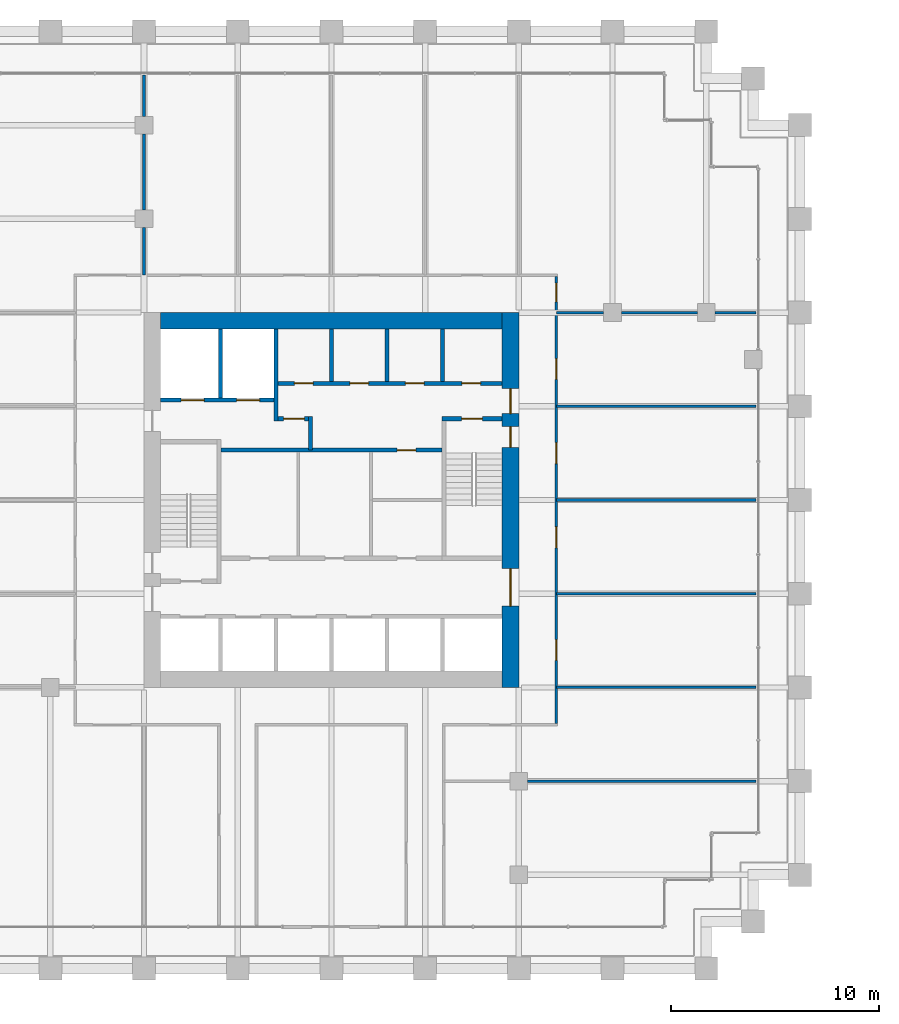
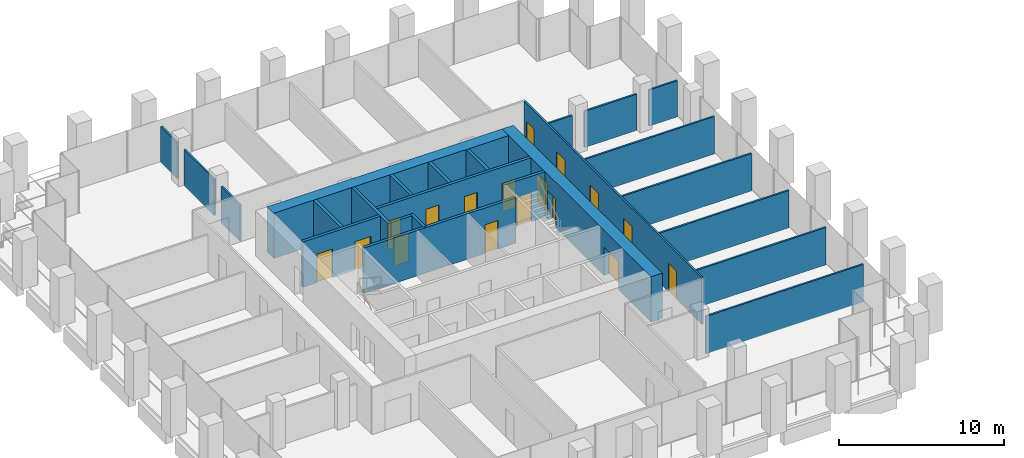
# One storey, part 51 of 56: 25 walls, 17 doors, 17 openings.
"""IFC4 building model written with IfcOpenShell, lengths in metres."""

from ifc_helpers import new_model, si_unit, direction, frame, frame_2d, origin, place, context, subcontext, project, spatial, rectangle, extrude, material, layer, layer_set, type_object, element, fill, save


model = new_model("IFC4")

# Units and contexts
model_context = context("Model", 3, precision=1e-05, world=origin(), true_north=direction((0.0, 1.0)))
body_context = subcontext(model_context, "Body", "Model", "MODEL_VIEW")
ifc_project = project(units=[si_unit("LENGTHUNIT", "METRE"), si_unit("AREAUNIT", "SQUARE_METRE"), si_unit("VOLUMEUNIT", "CUBIC_METRE"), si_unit("PLANEANGLEUNIT", "RADIAN"), si_unit("MASSUNIT", "GRAM", prefix="KILO")], contexts=[model_context])

# Site, building, storey
site_placement = place(None, origin())
site = spatial("IfcSite", under=ifc_project, at=site_placement, CompositionType="ELEMENT")
building_placement = place(site_placement, origin())
building = spatial("IfcBuilding", under=site, at=building_placement, Name="Altepetl Exchange Towers", CompositionType="ELEMENT")
storey_placement = place(building_placement, frame((0.0, 0.0, 69.0)))
storey = spatial("IfcBuildingStorey", under=building, at=storey_placement, Name="L16", CompositionType="ELEMENT", Elevation=69.0)

# Wall, openings, doors
ifc_material_1 = material(Name="Concrete C70/85", Category="concrete")
ifc_layer_1 = layer(ifc_material_1, 0.800048828125)
ifc_layer_set_1 = layer_set([ifc_layer_1], Name="Concrete C70/85")
wall_type_1 = type_object("IfcWallType", Name="Core wall 800 reinforced concrete", PredefinedType="SHEAR", material=ifc_layer_set_1)
wall_1_placement = place(storey_placement, frame((58.10009765625, 40.5, 0.0), z_axis=(0.0, 0.0, 1.0), x_axis=(0.0, 1.0, 0.0)))
wall_1 = element("IfcWall", 1, at=wall_1_placement, inside=storey, type_object=wall_type_1, Name="wall:A:L16:K-coreE", PredefinedType="SHEAR", context=body_context, shape_type="SweptSolid", body=[
    extrude(rectangle(XDim=18.0, YDim=0.800048828125, at=frame_2d((9.0, 0.0))), origin(), (0.0, 0.0, 1.0), 3.35009765625),
])
opening_1_placement = place(wall_1_placement, frame((13.14990234375, 0.0, 0.0)))
opening_1 = element("IfcOpeningElement", 2, at=opening_1_placement, cuts=wall_1, Name="Opening L16.A60", PredefinedType="OPENING", context=body_context, shape_type="SweptSolid", body=[
    extrude(rectangle(XDim=1.199951171875, YDim=2.10009765625, at=frame_2d((0.60009765625, 1.050048828125))), frame((0.0, 0.41015625, 0.0), z_axis=(0.0, -1.0, 0.0), x_axis=(1.0, 0.0, 0.0)), (0.0, 0.0, 1.0), 0.820068359375),
])
opening_2_placement = place(wall_1_placement, frame((3.89990234375, 0.0, 0.0)))
opening_2 = element("IfcOpeningElement", 3, at=opening_2_placement, cuts=wall_1, Name="Opening L16.A61", PredefinedType="OPENING", context=body_context, shape_type="SweptSolid", body=[
    extrude(rectangle(XDim=1.800048828125, YDim=2.10009765625, at=frame_2d((0.89990234375, 1.050048828125))), frame((0.0, 0.41015625, 0.0), z_axis=(0.0, -1.0, 0.0), x_axis=(1.0, 0.0, 0.0)), (0.0, 0.0, 1.0), 0.820068359375),
])
opening_3_placement = place(wall_1_placement, frame((11.52490234375, 0.0, 0.0)))
opening_3 = element("IfcOpeningElement", 4, at=opening_3_placement, cuts=wall_1, Name="Opening L16.A66", PredefinedType="OPENING", context=body_context, shape_type="SweptSolid", body=[
    extrude(rectangle(XDim=1.0, YDim=2.10009765625, at=frame_2d((0.5, 1.050048828125))), frame((0.0, 0.41015625, 0.0), z_axis=(0.0, -1.0, 0.0), x_axis=(1.0, 0.0, 0.0)), (0.0, 0.0, 1.0), 0.820068359375),
])
ifc_material_2 = material(Name="Steel and timber fire door", Category="steel")
door_type_1 = type_object("IfcDoorType", Name="Fire door 1000 x 2100 stair and lobby", OperationType="SINGLE_SWING_LEFT", PredefinedType="DOOR", material=ifc_material_2)
door_1_placement = place(opening_3_placement, origin())
door_1 = element("IfcDoor", 5, at=door_1_placement, inside=storey, type_object=door_type_1, Name="door:A:L16:K-dS2x", OperationType="SINGLE_SWING_RIGHT", OverallHeight=2.10009765625, OverallWidth=1.0, PredefinedType="DOOR", context=body_context, shape_type="SweptSolid", body=[
    extrude(rectangle(XDim=1.0, YDim=2.10009765625, at=frame_2d((0.5, 1.050048828125))), frame((0.0, 0.02490234375, 0.0), z_axis=(0.0, -1.0, 0.0), x_axis=(1.0, 0.0, 0.0)), (0.0, 0.0, 1.0), 0.050048828125),
])
fill(opening_3, door_1)
door_type_2 = type_object("IfcDoorType", Name="Fire door 1200 x 2100 lobby entry", OperationType="SINGLE_SWING_LEFT", PredefinedType="DOOR", material=ifc_material_2)
door_2_placement = place(opening_1_placement, origin())
door_2 = element("IfcDoor", 6, at=door_2_placement, inside=storey, type_object=door_type_2, Name="door:A:L16:K-dLNE", OperationType="SINGLE_SWING_RIGHT", OverallHeight=2.10009765625, OverallWidth=1.199951171875, PredefinedType="DOOR", context=body_context, shape_type="SweptSolid", body=[
    extrude(rectangle(XDim=1.199951171875, YDim=2.10009765625, at=frame_2d((0.60009765625, 1.050048828125))), frame((0.0, 0.02490234375, 0.0), z_axis=(0.0, -1.0, 0.0), x_axis=(1.0, 0.0, 0.0)), (0.0, 0.0, 1.0), 0.050048828125),
])
fill(opening_1, door_2)
door_type_3 = type_object("IfcDoorType", Name="Fire door 1800 x 2100 lobby entry", OperationType="DOUBLE_DOOR_SINGLE_SWING", PredefinedType="DOOR", material=ifc_material_2)
door_3_placement = place(opening_2_placement, origin())
door_3 = element("IfcDoor", 7, at=door_3_placement, inside=storey, type_object=door_type_3, Name="door:A:L16:K-dLSE", OperationType="DOUBLE_DOOR_SINGLE_SWING", OverallHeight=2.10009765625, OverallWidth=1.800048828125, PredefinedType="DOOR", context=body_context, shape_type="SweptSolid", body=[
    extrude(rectangle(XDim=1.800048828125, YDim=2.10009765625, at=frame_2d((0.89990234375, 1.050048828125))), frame((0.0, 0.02490234375, 0.0), z_axis=(0.0, -1.0, 0.0), x_axis=(1.0, 0.0, 0.0)), (0.0, 0.0, 1.0), 0.050048828125),
])
fill(opening_2, door_3)

# Walls
wall_2_placement = place(storey_placement, frame((41.300048828125, 58.10009765625, 0.0)))
element("IfcWall", 8, at=wall_2_placement, inside=storey, type_object=wall_type_1, Name="wall:A:L16:K-coreN", PredefinedType="SHEAR", context=body_context, shape_type="SweptSolid", body=[
    extrude(rectangle(XDim=16.39990234375, YDim=0.800048828125, at=frame_2d((8.199951171875, 0.0))), origin(), (0.0, 0.0, 1.0), 3.35009765625),
])
ifc_material_3 = material(Name="Concrete blockwork", Category="masonry")
ifc_layer_2 = layer(ifc_material_3, 0.199951171875)
ifc_layer_set_2 = layer_set([ifc_layer_2], Name="Concrete blockwork")
wall_type_2 = type_object("IfcWallType", Name="Lobby wall 200 blockwork", PredefinedType="PARTITIONING", material=ifc_layer_set_2)
wall_3_placement = place(storey_placement, frame((48.5, 51.89990234375, 0.0), z_axis=(0.0, 0.0, 1.0), x_axis=(0.0, 1.0, 0.0)))
element("IfcWall", 9, at=wall_3_placement, inside=storey, type_object=wall_type_2, Name="wall:A:L16:K-ffE", PredefinedType="PARTITIONING", context=body_context, shape_type="SweptSolid", body=[
    extrude(rectangle(XDim=1.60009765625, YDim=0.199951171875, at=frame_2d((0.800048828125, 0.0))), origin(), (0.0, 0.0, 1.0), 3.35009765625),
])

# Wall, opening, door
wall_4_placement = place(storey_placement, frame((46.933349609375, 53.39990234375, 0.0)))
wall_4 = element("IfcWall", 10, at=wall_4_placement, inside=storey, type_object=wall_type_2, Name="wall:A:L16:K-ffN", PredefinedType="PARTITIONING", context=body_context, shape_type="SweptSolid", body=[
    extrude(rectangle(XDim=1.466552734375, YDim=0.199951171875, at=frame_2d((0.7333984375, 0.0))), origin(), (0.0, 0.0, 1.0), 3.35009765625),
])
opening_4_placement = place(wall_4_placement, frame((0.2666015625, 0.0, 0.0)))
opening_4 = element("IfcOpeningElement", 11, at=opening_4_placement, cuts=wall_4, Name="Opening L16.A67", PredefinedType="OPENING", context=body_context, shape_type="SweptSolid", body=[
    extrude(rectangle(XDim=1.0, YDim=2.10009765625, at=frame_2d((0.5, 1.050048828125))), frame((0.0, 0.10986328125, 0.0), z_axis=(0.0, -1.0, 0.0), x_axis=(1.0, 0.0, 0.0)), (0.0, 0.0, 1.0), 0.219970703125),
])
door_4_placement = place(opening_4_placement, frame((1.0, 0.0, 0.0), x_axis=(-1.0, 0.0, 0.0)))
door_4 = element("IfcDoor", 12, at=door_4_placement, inside=storey, type_object=door_type_1, Name="door:A:L16:K-dffN", OperationType="SINGLE_SWING_RIGHT", OverallHeight=2.10009765625, OverallWidth=1.0, PredefinedType="DOOR", context=body_context, shape_type="SweptSolid", body=[
    extrude(rectangle(XDim=1.0, YDim=2.10009765625, at=frame_2d((0.5, 1.050048828125))), frame((0.0, 0.02490234375, 0.0), z_axis=(0.0, -1.0, 0.0), x_axis=(1.0, 0.0, 0.0)), (0.0, 0.0, 1.0), 0.050048828125),
])
fill(opening_4, door_4)

wall_5_placement = place(storey_placement, frame((44.199951171875, 51.89990234375, 0.0)))
wall_5 = element("IfcWall", 13, at=wall_5_placement, inside=storey, type_object=wall_type_2, Name="wall:A:L16:K-zoneN", PredefinedType="PARTITIONING", context=body_context, shape_type="SweptSolid", body=[
    extrude(rectangle(XDim=10.60009765625, YDim=0.199951171875, at=frame_2d((5.300048828125, 0.0))), origin(), (0.0, 0.0, 1.0), 3.35009765625),
])
opening_5_placement = place(wall_5_placement, frame((8.449951171875, 0.0, 0.0)))
opening_5 = element("IfcOpeningElement", 14, at=opening_5_placement, cuts=wall_5, Name="Opening L16.A76", PredefinedType="OPENING", context=body_context, shape_type="SweptSolid", body=[
    extrude(rectangle(XDim=0.89990234375, YDim=2.10009765625, at=frame_2d((0.449951171875, 1.050048828125))), frame((0.0, 0.10986328125, 0.0), z_axis=(0.0, -1.0, 0.0), x_axis=(1.0, 0.0, 0.0)), (0.0, 0.0, 1.0), 0.219970703125),
])
door_type_4 = type_object("IfcDoorType", Name="Fire door 900 x 2100 service room", OperationType="SINGLE_SWING_LEFT", PredefinedType="DOOR", material=ifc_material_2)
door_5_placement = place(opening_5_placement, frame((0.89990234375, 0.0, 0.0), x_axis=(-1.0, 0.0, 0.0)))
door_5 = element("IfcDoor", 15, at=door_5_placement, inside=storey, type_object=door_type_4, Name="door:A:L16:K-dz4", OperationType="SINGLE_SWING_LEFT", OverallHeight=2.10009765625, OverallWidth=0.89990234375, PredefinedType="DOOR", context=body_context, shape_type="SweptSolid", body=[
    extrude(rectangle(XDim=0.89990234375, YDim=2.10009765625, at=frame_2d((0.449951171875, 1.050048828125))), frame((0.0, 0.02490234375, 0.0), z_axis=(0.0, -1.0, 0.0), x_axis=(1.0, 0.0, 0.0)), (0.0, 0.0, 1.0), 0.050048828125),
])
fill(opening_5, door_5)

# Walls
ifc_material_4 = material(Name="Timber panels on aluminium track", Category="wood")
ifc_layer_3 = layer(ifc_material_4, 0.125)
ifc_layer_set_3 = layer_set([ifc_layer_3], Name="Timber panels on aluminium track")
wall_type_3 = type_object("IfcWallType", Name="Operable acoustic partition 125", PredefinedType="MOVABLE", material=ifc_layer_set_3)
for number, where, name in (
    (16, (60.300048828125, 40.5, 0.0), "wall:A:L16:P09"),
    (17, (60.300048828125, 45.0, 0.0), "wall:A:L16:P11"),
    (18, (60.300048828125, 49.5, 0.0), "wall:A:L16:P13"),
    (19, (60.300048828125, 54.0, 0.0), "wall:A:L16:P15"),
):
    element("IfcWall", number, at=place(storey_placement, frame(where)), inside=storey, type_object=wall_type_3, Name=name, PredefinedType="MOVABLE", context=body_context, shape_type="SweptSolid", body=[
        extrude(rectangle(XDim=9.599853515625, YDim=0.125, at=frame_2d((4.7998046875, 0.0))), origin(), (0.0, 0.0, 1.0), 2.76611328125),
    ])
ifc_material_5 = material(Name="Gypsum board on steel studs", Category="steel")
ifc_layer_4 = layer(ifc_material_5, 0.125)
ifc_layer_set_4 = layer_set([ifc_layer_4], Name="Gypsum board on steel studs")
wall_type_4 = type_object("IfcWallType", Name="Partition 125 gypsum board on steel studs", PredefinedType="PARTITIONING", material=ifc_layer_set_4)
wall_6_placement = place(storey_placement, frame((58.925048828125, 36.0, 0.0)))
element("IfcWall", 20, at=wall_6_placement, inside=storey, type_object=wall_type_4, Name="wall:A:L16:P02", PredefinedType="PARTITIONING", context=body_context, shape_type="SweptSolid", body=[
    extrude(rectangle(XDim=10.974853515625, YDim=0.125, at=frame_2d((5.4873046875, 0.0))), origin(), (0.0, 0.0, 1.0), 2.76611328125),
])
wall_7_placement = place(storey_placement, frame((60.300048828125, 58.5, 0.0)))
element("IfcWall", 21, at=wall_7_placement, inside=storey, type_object=wall_type_4, Name="wall:A:L16:P17", PredefinedType="PARTITIONING", context=body_context, shape_type="SweptSolid", body=[
    extrude(rectangle(XDim=2.27490234375, YDim=0.125, at=frame_2d((1.137451171875, 0.0))), origin(), (0.0, 0.0, 1.0), 2.676025390625),
])
wall_8_placement = place(storey_placement, frame((63.425048828125, 58.5, 0.0)))
element("IfcWall", 22, at=wall_8_placement, inside=storey, type_object=wall_type_4, Name="wall:A:L16:P18", PredefinedType="PARTITIONING", context=body_context, shape_type="SweptSolid", body=[
    extrude(rectangle(XDim=3.64990234375, YDim=0.125, at=frame_2d((1.824951171875, 0.0))), origin(), (0.0, 0.0, 1.0), 2.676025390625),
])
wall_9_placement = place(storey_placement, frame((67.925048828125, 58.5, 0.0)))
element("IfcWall", 23, at=wall_9_placement, inside=storey, type_object=wall_type_4, Name="wall:A:L16:P19", PredefinedType="PARTITIONING", context=body_context, shape_type="SweptSolid", body=[
    extrude(rectangle(XDim=1.974853515625, YDim=0.125, at=frame_2d((0.9873046875, 0.0))), origin(), (0.0, 0.0, 1.0), 2.676025390625),
])
wall_10_placement = place(storey_placement, frame((40.5, 60.300048828125, 0.0), z_axis=(0.0, 0.0, 1.0), x_axis=(0.0, 1.0, 0.0)))
element("IfcWall", 24, at=wall_10_placement, inside=storey, type_object=wall_type_4, Name="wall:A:L16:P23", PredefinedType="PARTITIONING", context=body_context, shape_type="SweptSolid", body=[
    extrude(rectangle(XDim=2.27490234375, YDim=0.125, at=frame_2d((1.137451171875, 0.0))), origin(), (0.0, 0.0, 1.0), 2.676025390625),
])
wall_11_placement = place(storey_placement, frame((40.5, 63.425048828125, 0.0), z_axis=(0.0, 0.0, 1.0), x_axis=(0.0, 1.0, 0.0)))
element("IfcWall", 25, at=wall_11_placement, inside=storey, type_object=wall_type_4, Name="wall:A:L16:P24", PredefinedType="PARTITIONING", context=body_context, shape_type="SweptSolid", body=[
    extrude(rectangle(XDim=3.64990234375, YDim=0.125, at=frame_2d((1.824951171875, 0.0))), origin(), (0.0, 0.0, 1.0), 2.676025390625),
])
wall_12_placement = place(storey_placement, frame((40.5, 67.925048828125, 0.0), z_axis=(0.0, 0.0, 1.0), x_axis=(0.0, 1.0, 0.0)))
element("IfcWall", 26, at=wall_12_placement, inside=storey, type_object=wall_type_4, Name="wall:A:L16:P25", PredefinedType="PARTITIONING", context=body_context, shape_type="SweptSolid", body=[
    extrude(rectangle(XDim=1.974853515625, YDim=0.125, at=frame_2d((0.9873046875, 0.0))), origin(), (0.0, 0.0, 1.0), 2.676025390625),
])

# Wall, openings, doors
wall_13_placement = place(storey_placement, frame((60.300048828125, 38.762451171875, 0.0), z_axis=(0.0, 0.0, 1.0), x_axis=(0.0, 1.0, 0.0)))
wall_13 = element("IfcWall", 27, at=wall_13_placement, inside=storey, type_object=wall_type_4, Name="wall:A:L16:P34", PredefinedType="PARTITIONING", context=body_context, shape_type="SweptSolid", body=[
    extrude(rectangle(XDim=21.47509765625, YDim=0.125, at=frame_2d((10.737548828125, 0.0))), origin(), (0.0, 0.0, 1.0), 3.449951171875),
])
opening_6_placement = place(wall_13_placement, frame((3.032470703125, 0.0, 0.0)))
opening_6 = element("IfcOpeningElement", 28, at=opening_6_placement, cuts=wall_13, Name="Opening L16.A08", PredefinedType="OPENING", context=body_context, shape_type="SweptSolid", body=[
    extrude(rectangle(XDim=1.0, YDim=2.10009765625, at=frame_2d((0.5, 1.050048828125))), frame((0.0, 0.072509765625, 0.0), z_axis=(0.0, -1.0, 0.0), x_axis=(1.0, 0.0, 0.0)), (0.0, 0.0, 1.0), 0.14501953125),
])
opening_7_placement = place(wall_13_placement, frame((8.4423828125, 0.0, 0.0)))
opening_7 = element("IfcOpeningElement", 29, at=opening_7_placement, cuts=wall_13, Name="Opening L16.A09", PredefinedType="OPENING", context=body_context, shape_type="SweptSolid", body=[
    extrude(rectangle(XDim=1.0, YDim=2.10009765625, at=frame_2d((0.5, 1.050048828125))), frame((0.0, 0.072509765625, 0.0), z_axis=(0.0, -1.0, 0.0), x_axis=(1.0, 0.0, 0.0)), (0.0, 0.0, 1.0), 0.14501953125),
])
opening_8_placement = place(wall_13_placement, frame((12.487548828125, 0.0, 0.0)))
opening_8 = element("IfcOpeningElement", 30, at=opening_8_placement, cuts=wall_13, Name="Opening L16.A10", PredefinedType="OPENING", context=body_context, shape_type="SweptSolid", body=[
    extrude(rectangle(XDim=1.0, YDim=2.10009765625, at=frame_2d((0.5, 1.050048828125))), frame((0.0, 0.072509765625, 0.0), z_axis=(0.0, -1.0, 0.0), x_axis=(1.0, 0.0, 0.0)), (0.0, 0.0, 1.0), 0.14501953125),
])
opening_9_placement = place(wall_13_placement, frame((16.532470703125, 0.0, 0.0)))
opening_9 = element("IfcOpeningElement", 31, at=opening_9_placement, cuts=wall_13, Name="Opening L16.A11", PredefinedType="OPENING", context=body_context, shape_type="SweptSolid", body=[
    extrude(rectangle(XDim=1.0, YDim=2.10009765625, at=frame_2d((0.5, 1.050048828125))), frame((0.0, 0.072509765625, 0.0), z_axis=(0.0, -1.0, 0.0), x_axis=(1.0, 0.0, 0.0)), (0.0, 0.0, 1.0), 0.14501953125),
])
opening_10_placement = place(wall_13_placement, frame((20.257568359375, 0.0, 0.0)))
opening_10 = element("IfcOpeningElement", 32, at=opening_10_placement, cuts=wall_13, Name="Opening L16.A12", PredefinedType="OPENING", context=body_context, shape_type="SweptSolid", body=[
    extrude(rectangle(XDim=0.89990234375, YDim=2.10009765625, at=frame_2d((0.449951171875, 1.050048828125))), frame((0.0, 0.072509765625, 0.0), z_axis=(0.0, -1.0, 0.0), x_axis=(1.0, 0.0, 0.0)), (0.0, 0.0, 1.0), 0.14501953125),
])
door_type_5 = type_object("IfcDoorType", Name="Fire door 1000 x 2100 single leaf", OperationType="SINGLE_SWING_LEFT", PredefinedType="DOOR", material=ifc_material_2)
door_6_placement = place(opening_6_placement, frame((1.0, 0.0, 0.0), x_axis=(-1.0, 0.0, 0.0)))
door_6 = element("IfcDoor", 33, at=door_6_placement, inside=storey, type_object=door_type_5, Name="door:A:L16:08", OperationType="SINGLE_SWING_RIGHT", OverallHeight=2.10009765625, OverallWidth=1.0, PredefinedType="DOOR", context=body_context, shape_type="SweptSolid", body=[
    extrude(rectangle(XDim=1.0, YDim=2.10009765625, at=frame_2d((0.5, 1.050048828125))), frame((0.0, 0.02490234375, 0.0), z_axis=(0.0, -1.0, 0.0), x_axis=(1.0, 0.0, 0.0)), (0.0, 0.0, 1.0), 0.050048828125),
])
fill(opening_6, door_6)
door_7_placement = place(opening_7_placement, frame((1.0, 0.0, 0.0), x_axis=(-1.0, 0.0, 0.0)))
door_7 = element("IfcDoor", 34, at=door_7_placement, inside=storey, type_object=door_type_5, Name="door:A:L16:09", OperationType="SINGLE_SWING_LEFT", OverallHeight=2.10009765625, OverallWidth=1.0, PredefinedType="DOOR", context=body_context, shape_type="SweptSolid", body=[
    extrude(rectangle(XDim=1.0, YDim=2.10009765625, at=frame_2d((0.5, 1.050048828125))), frame((0.0, 0.02490234375, 0.0), z_axis=(0.0, -1.0, 0.0), x_axis=(1.0, 0.0, 0.0)), (0.0, 0.0, 1.0), 0.050048828125),
])
fill(opening_7, door_7)
door_8_placement = place(opening_8_placement, frame((1.0, 0.0, 0.0), x_axis=(-1.0, 0.0, 0.0)))
door_8 = element("IfcDoor", 35, at=door_8_placement, inside=storey, type_object=door_type_5, Name="door:A:L16:10", OperationType="SINGLE_SWING_RIGHT", OverallHeight=2.10009765625, OverallWidth=1.0, PredefinedType="DOOR", context=body_context, shape_type="SweptSolid", body=[
    extrude(rectangle(XDim=1.0, YDim=2.10009765625, at=frame_2d((0.5, 1.050048828125))), frame((0.0, 0.02490234375, 0.0), z_axis=(0.0, -1.0, 0.0), x_axis=(1.0, 0.0, 0.0)), (0.0, 0.0, 1.0), 0.050048828125),
])
fill(opening_8, door_8)
door_9_placement = place(opening_9_placement, frame((1.0, 0.0, 0.0), x_axis=(-1.0, 0.0, 0.0)))
door_9 = element("IfcDoor", 36, at=door_9_placement, inside=storey, type_object=door_type_5, Name="door:A:L16:11", OperationType="SINGLE_SWING_RIGHT", OverallHeight=2.10009765625, OverallWidth=1.0, PredefinedType="DOOR", context=body_context, shape_type="SweptSolid", body=[
    extrude(rectangle(XDim=1.0, YDim=2.10009765625, at=frame_2d((0.5, 1.050048828125))), frame((0.0, 0.02490234375, 0.0), z_axis=(0.0, -1.0, 0.0), x_axis=(1.0, 0.0, 0.0)), (0.0, 0.0, 1.0), 0.050048828125),
])
fill(opening_9, door_9)
door_type_6 = type_object("IfcDoorType", Name="Fire door 900 x 2100 single leaf", OperationType="SINGLE_SWING_LEFT", PredefinedType="DOOR", material=ifc_material_2)
door_10_placement = place(opening_10_placement, frame((0.89990234375, 0.0, 0.0), x_axis=(-1.0, 0.0, 0.0)))
door_10 = element("IfcDoor", 37, at=door_10_placement, inside=storey, type_object=door_type_6, Name="door:A:L16:12", OperationType="SINGLE_SWING_LEFT", OverallHeight=2.10009765625, OverallWidth=0.89990234375, PredefinedType="DOOR", context=body_context, shape_type="SweptSolid", body=[
    extrude(rectangle(XDim=0.89990234375, YDim=2.10009765625, at=frame_2d((0.449951171875, 1.050048828125))), frame((0.0, 0.02490234375, 0.0), z_axis=(0.0, -1.0, 0.0), x_axis=(1.0, 0.0, 0.0)), (0.0, 0.0, 1.0), 0.050048828125),
])
fill(opening_10, door_10)

# Walls
ifc_material_6 = material(Name="Concrete C40/50", Category="concrete")
ifc_layer_5 = layer(ifc_material_6, 0.199951171875)
ifc_layer_set_5 = layer_set([ifc_layer_5], Name="Concrete C40/50")
wall_type_5 = type_object("IfcWallType", Name="Shaft wall 200 reinforced concrete", PredefinedType="SHEAR", material=ifc_layer_set_5)
wall_14_placement = place(storey_placement, frame((44.166748046875, 57.699951171875, 0.0), z_axis=(0.0, 0.0, 1.0), x_axis=(0.0, -1.0, 0.0)))
element("IfcWall", 38, at=wall_14_placement, inside=storey, type_object=wall_type_5, Name="wall:A:L16:K-divN1", PredefinedType="SHEAR", context=body_context, shape_type="SweptSolid", body=[
    extrude(rectangle(XDim=3.300048828125, YDim=0.199951171875, at=frame_2d((1.64990234375, 0.0))), origin(), (0.0, 0.0, 1.0), 3.35009765625),
])
wall_15_placement = place(storey_placement, frame((46.833251953125, 57.699951171875, 0.0), z_axis=(0.0, 0.0, 1.0), x_axis=(0.0, -1.0, 0.0)))
element("IfcWall", 39, at=wall_15_placement, inside=storey, type_object=wall_type_5, Name="wall:A:L16:K-divN2", PredefinedType="SHEAR", context=body_context, shape_type="SweptSolid", body=[
    extrude(rectangle(XDim=4.39990234375, YDim=0.199951171875, at=frame_2d((2.199951171875, 0.0))), origin(), (0.0, 0.0, 1.0), 3.35009765625),
])
for number, where, z_axis, x_axis, name in (
    (40, (49.5, 57.699951171875, 0.0), (0.0, 0.0, 1.0), (0.0, -1.0, 0.0), "wall:A:L16:K-divN3"),
    (41, (52.166748046875, 57.699951171875, 0.0), (0.0, 0.0, 1.0), (0.0, -1.0, 0.0), "wall:A:L16:K-divN4"),
    (42, (54.833251953125, 57.699951171875, 0.0), (0.0, 0.0, 1.0), (0.0, -1.0, 0.0), "wall:A:L16:K-divN5"),
):
    element("IfcWall", number, at=place(storey_placement, frame(where, z_axis=z_axis, x_axis=x_axis)), inside=storey, type_object=wall_type_5, Name=name, PredefinedType="SHEAR", context=body_context, shape_type="SweptSolid", body=[
        extrude(rectangle(XDim=2.5, YDim=0.199951171875, at=frame_2d((1.25, 0.0))), origin(), (0.0, 0.0, 1.0), 3.35009765625),
    ])

# Wall, openings, doors
wall_16_placement = place(storey_placement, frame((46.933349609375, 55.10009765625, 0.0)))
wall_16 = element("IfcWall", 43, at=wall_16_placement, inside=storey, type_object=wall_type_5, Name="wall:A:L16:K-frontNb", PredefinedType="SHEAR", context=body_context, shape_type="SweptSolid", body=[
    extrude(rectangle(XDim=10.7666015625, YDim=0.199951171875, at=frame_2d((5.38330078125, 0.0))), origin(), (0.0, 0.0, 1.0), 3.35009765625),
])
opening_11_placement = place(wall_16_placement, frame((8.83349609375, 0.0, 0.0)))
opening_11 = element("IfcOpeningElement", 44, at=opening_11_placement, cuts=wall_16, Name="Opening L16.A69", PredefinedType="OPENING", context=body_context, shape_type="SweptSolid", body=[
    extrude(rectangle(XDim=0.89990234375, YDim=2.10009765625, at=frame_2d((0.449951171875, 1.050048828125))), frame((0.0, 0.10986328125, 0.0), z_axis=(0.0, -1.0, 0.0), x_axis=(1.0, 0.0, 0.0)), (0.0, 0.0, 1.0), 0.219970703125),
])
opening_12_placement = place(wall_16_placement, frame((0.783447265625, 0.0, 0.0)))
opening_12 = element("IfcOpeningElement", 45, at=opening_12_placement, cuts=wall_16, Name="Opening L16.A70", PredefinedType="OPENING", context=body_context, shape_type="SweptSolid", body=[
    extrude(rectangle(XDim=0.89990234375, YDim=2.10009765625, at=frame_2d((0.449951171875, 1.050048828125))), frame((0.0, 0.10986328125, 0.0), z_axis=(0.0, -1.0, 0.0), x_axis=(1.0, 0.0, 0.0)), (0.0, 0.0, 1.0), 0.219970703125),
])
opening_13_placement = place(wall_16_placement, frame((3.449951171875, 0.0, 0.0)))
opening_13 = element("IfcOpeningElement", 46, at=opening_13_placement, cuts=wall_16, Name="Opening L16.A71", PredefinedType="OPENING", context=body_context, shape_type="SweptSolid", body=[
    extrude(rectangle(XDim=0.89990234375, YDim=2.10009765625, at=frame_2d((0.449951171875, 1.050048828125))), frame((0.0, 0.10986328125, 0.0), z_axis=(0.0, -1.0, 0.0), x_axis=(1.0, 0.0, 0.0)), (0.0, 0.0, 1.0), 0.219970703125),
])
opening_14_placement = place(wall_16_placement, frame((6.11669921875, 0.0, 0.0)))
opening_14 = element("IfcOpeningElement", 47, at=opening_14_placement, cuts=wall_16, Name="Opening L16.A72", PredefinedType="OPENING", context=body_context, shape_type="SweptSolid", body=[
    extrude(rectangle(XDim=0.89990234375, YDim=2.10009765625, at=frame_2d((0.449951171875, 1.050048828125))), frame((0.0, 0.10986328125, 0.0), z_axis=(0.0, -1.0, 0.0), x_axis=(1.0, 0.0, 0.0)), (0.0, 0.0, 1.0), 0.219970703125),
])
door_11_placement = place(opening_11_placement, origin())
door_11 = element("IfcDoor", 48, at=door_11_placement, inside=storey, type_object=door_type_4, Name="door:A:L16:K-driser", OperationType="SINGLE_SWING_RIGHT", OverallHeight=2.10009765625, OverallWidth=0.89990234375, PredefinedType="DOOR", context=body_context, shape_type="SweptSolid", body=[
    extrude(rectangle(XDim=0.89990234375, YDim=2.10009765625, at=frame_2d((0.449951171875, 1.050048828125))), frame((0.0, 0.02490234375, 0.0), z_axis=(0.0, -1.0, 0.0), x_axis=(1.0, 0.0, 0.0)), (0.0, 0.0, 1.0), 0.050048828125),
])
fill(opening_11, door_11)
door_12_placement = place(opening_12_placement, origin())
door_12 = element("IfcDoor", 49, at=door_12_placement, inside=storey, type_object=door_type_4, Name="door:A:L16:K-dslotN2", OperationType="SINGLE_SWING_RIGHT", OverallHeight=2.10009765625, OverallWidth=0.89990234375, PredefinedType="DOOR", context=body_context, shape_type="SweptSolid", body=[
    extrude(rectangle(XDim=0.89990234375, YDim=2.10009765625, at=frame_2d((0.449951171875, 1.050048828125))), frame((0.0, 0.02490234375, 0.0), z_axis=(0.0, -1.0, 0.0), x_axis=(1.0, 0.0, 0.0)), (0.0, 0.0, 1.0), 0.050048828125),
])
fill(opening_12, door_12)
door_13_placement = place(opening_13_placement, origin())
door_13 = element("IfcDoor", 50, at=door_13_placement, inside=storey, type_object=door_type_4, Name="door:A:L16:K-dslotN3", OperationType="SINGLE_SWING_RIGHT", OverallHeight=2.10009765625, OverallWidth=0.89990234375, PredefinedType="DOOR", context=body_context, shape_type="SweptSolid", body=[
    extrude(rectangle(XDim=0.89990234375, YDim=2.10009765625, at=frame_2d((0.449951171875, 1.050048828125))), frame((0.0, 0.02490234375, 0.0), z_axis=(0.0, -1.0, 0.0), x_axis=(1.0, 0.0, 0.0)), (0.0, 0.0, 1.0), 0.050048828125),
])
fill(opening_13, door_13)
door_14_placement = place(opening_14_placement, origin())
door_14 = element("IfcDoor", 51, at=door_14_placement, inside=storey, type_object=door_type_4, Name="door:A:L16:K-dslotN4", OperationType="SINGLE_SWING_RIGHT", OverallHeight=2.10009765625, OverallWidth=0.89990234375, PredefinedType="DOOR", context=body_context, shape_type="SweptSolid", body=[
    extrude(rectangle(XDim=0.89990234375, YDim=2.10009765625, at=frame_2d((0.449951171875, 1.050048828125))), frame((0.0, 0.02490234375, 0.0), z_axis=(0.0, -1.0, 0.0), x_axis=(1.0, 0.0, 0.0)), (0.0, 0.0, 1.0), 0.050048828125),
])
fill(opening_14, door_14)

wall_17_placement = place(storey_placement, frame((41.300048828125, 54.300048828125, 0.0)))
wall_17 = element("IfcWall", 52, at=wall_17_placement, inside=storey, type_object=wall_type_5, Name="wall:A:L16:K-frontNd", PredefinedType="SHEAR", context=body_context, shape_type="SweptSolid", body=[
    extrude(rectangle(XDim=5.433349609375, YDim=0.199951171875, at=frame_2d((2.716796875, 0.0))), origin(), (0.0, 0.0, 1.0), 3.35009765625),
])
opening_15_placement = place(wall_17_placement, frame((0.9833984375, 0.0, 0.0)))
opening_15 = element("IfcOpeningElement", 53, at=opening_15_placement, cuts=wall_17, Name="Opening L16.A77", PredefinedType="OPENING", context=body_context, shape_type="SweptSolid", body=[
    extrude(rectangle(XDim=1.10009765625, YDim=2.10009765625, at=frame_2d((0.550048828125, 1.050048828125))), frame((0.0, 0.10986328125, 0.0), z_axis=(0.0, -1.0, 0.0), x_axis=(1.0, 0.0, 0.0)), (0.0, 0.0, 1.0), 0.219970703125),
])
opening_16_placement = place(wall_17_placement, frame((3.64990234375, 0.0, 0.0)))
opening_16 = element("IfcOpeningElement", 54, at=opening_16_placement, cuts=wall_17, Name="Opening L16.A78", PredefinedType="OPENING", context=body_context, shape_type="SweptSolid", body=[
    extrude(rectangle(XDim=1.10009765625, YDim=2.10009765625, at=frame_2d((0.550048828125, 1.050048828125))), frame((0.0, 0.10986328125, 0.0), z_axis=(0.0, -1.0, 0.0), x_axis=(1.0, 0.0, 0.0)), (0.0, 0.0, 1.0), 0.219970703125),
])
ifc_material_7 = material(Name="Stainless steel", Category="steel")
door_type_7 = type_object("IfcDoorType", Name="Lift landing door 1100 x 2100", OperationType="SLIDING_TO_LEFT", PredefinedType="DOOR", material=ifc_material_7)
door_15_placement = place(opening_15_placement, origin())
door_15 = element("IfcDoor", 55, at=door_15_placement, inside=storey, type_object=door_type_7, Name="Landing door FFL1", OperationType="SLIDING_TO_LEFT", OverallHeight=2.10009765625, OverallWidth=1.10009765625, PredefinedType="DOOR", context=body_context, shape_type="SweptSolid", body=[
    extrude(rectangle(XDim=1.10009765625, YDim=2.10009765625, at=frame_2d((0.550048828125, 1.050048828125))), frame((0.0, 0.02490234375, 0.0), z_axis=(0.0, -1.0, 0.0), x_axis=(1.0, 0.0, 0.0)), (0.0, 0.0, 1.0), 0.050048828125),
])
fill(opening_15, door_15)
door_16_placement = place(opening_16_placement, origin())
door_16 = element("IfcDoor", 56, at=door_16_placement, inside=storey, type_object=door_type_7, Name="Landing door FFL2", OperationType="SLIDING_TO_LEFT", OverallHeight=2.10009765625, OverallWidth=1.10009765625, PredefinedType="DOOR", context=body_context, shape_type="SweptSolid", body=[
    extrude(rectangle(XDim=1.10009765625, YDim=2.10009765625, at=frame_2d((0.550048828125, 1.050048828125))), frame((0.0, 0.02490234375, 0.0), z_axis=(0.0, -1.0, 0.0), x_axis=(1.0, 0.0, 0.0)), (0.0, 0.0, 1.0), 0.050048828125),
])
fill(opening_16, door_16)

# Wall, opening, door
ifc_layer_6 = layer(ifc_material_6, 0.199951171875)
ifc_layer_set_6 = layer_set([ifc_layer_6], Name="Concrete C40/50")
wall_type_6 = type_object("IfcWallType", Name="Stair wall 200 reinforced concrete", PredefinedType="SHEAR", material=ifc_layer_set_6)
wall_18_placement = place(storey_placement, frame((54.800048828125, 53.39990234375, 0.0)))
wall_18 = element("IfcWall", 57, at=wall_18_placement, inside=storey, type_object=wall_type_6, Name="wall:A:L16:K-stS2N", PredefinedType="SHEAR", context=body_context, shape_type="SweptSolid", body=[
    extrude(rectangle(XDim=2.89990234375, YDim=0.199951171875, at=frame_2d((1.449951171875, 0.0))), origin(), (0.0, 0.0, 1.0), 3.35009765625),
])
opening_17_placement = place(wall_18_placement, frame((0.949951171875, 0.0, 0.0)))
opening_17 = element("IfcOpeningElement", 58, at=opening_17_placement, cuts=wall_18, Name="Opening L16.A65", PredefinedType="OPENING", context=body_context, shape_type="SweptSolid", body=[
    extrude(rectangle(XDim=1.0, YDim=2.10009765625, at=frame_2d((0.5, 1.050048828125))), frame((0.0, 0.10986328125, 0.0), z_axis=(0.0, -1.0, 0.0), x_axis=(1.0, 0.0, 0.0)), (0.0, 0.0, 1.0), 0.219970703125),
])
door_17_placement = place(opening_17_placement, frame((1.0, 0.0, 0.0), x_axis=(-1.0, 0.0, 0.0)))
door_17 = element("IfcDoor", 59, at=door_17_placement, inside=storey, type_object=door_type_1, Name="door:A:L16:K-dS2in", OperationType="SINGLE_SWING_LEFT", OverallHeight=2.10009765625, OverallWidth=1.0, PredefinedType="DOOR", context=body_context, shape_type="SweptSolid", body=[
    extrude(rectangle(XDim=1.0, YDim=2.10009765625, at=frame_2d((0.5, 1.050048828125))), frame((0.0, 0.02490234375, 0.0), z_axis=(0.0, -1.0, 0.0), x_axis=(1.0, 0.0, 0.0)), (0.0, 0.0, 1.0), 0.050048828125),
])
fill(opening_17, door_17)

save(model, "model.ifc")
